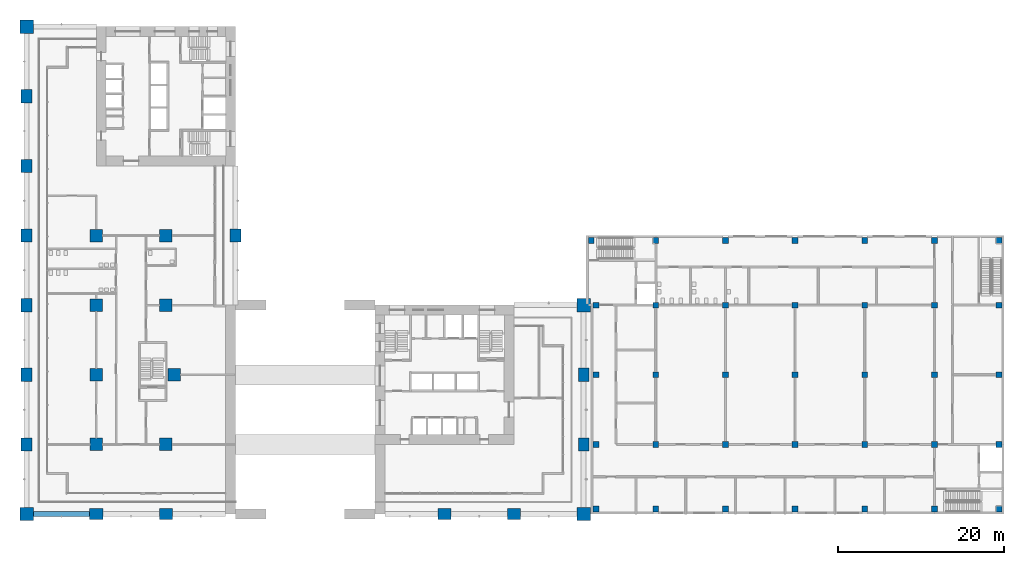
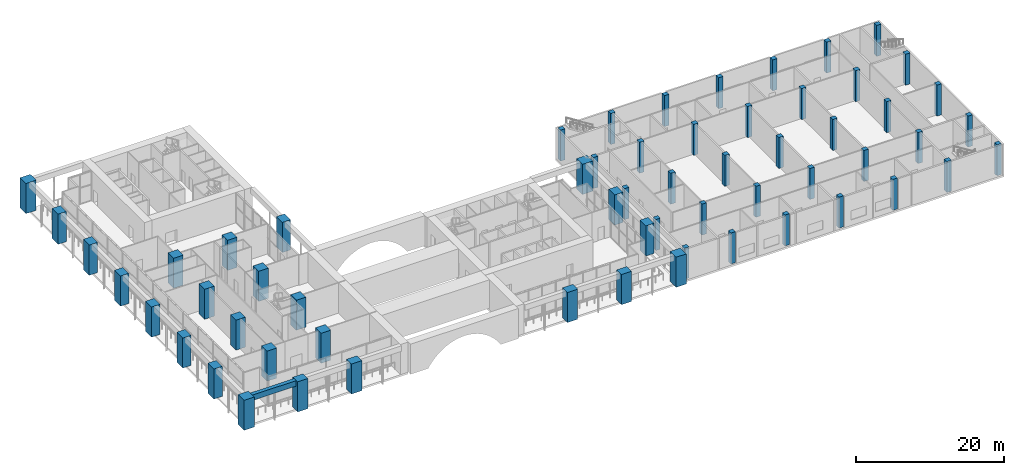
# One storey, part 1 of 26: 60 columns, 1 beam.
"""IFC4 building model written with IfcOpenShell, lengths in metres."""

from ifc_helpers import new_model, si_unit, direction, frame, origin, origin_2d, place, context, subcontext, project, spatial, rectangle, extrude, material, material_profile, profile_set, type_object, element, save


model = new_model("IFC4")

# Units and contexts
model_context = context("Model", 3, precision=1e-05, world=origin(), true_north=direction((0.0, 1.0)))
body_context = subcontext(model_context, "Body", "Model", "MODEL_VIEW")
ifc_project = project(units=[si_unit("LENGTHUNIT", "METRE"), si_unit("AREAUNIT", "SQUARE_METRE"), si_unit("VOLUMEUNIT", "CUBIC_METRE"), si_unit("PLANEANGLEUNIT", "RADIAN"), si_unit("MASSUNIT", "GRAM", prefix="KILO")], contexts=[model_context])

# Site, building, storey
site_placement = place(None, origin())
site = spatial("IfcSite", under=ifc_project, at=site_placement, CompositionType="ELEMENT")
building_placement = place(site_placement, origin())
building = spatial("IfcBuilding", under=site, at=building_placement, Name="Vermilion Gate Residences", CompositionType="ELEMENT")
storey_placement = place(building_placement, frame((0.0, 0.0, 9.0)))
storey = spatial("IfcBuildingStorey", under=building, at=storey_placement, Name="L01", CompositionType="ELEMENT", Elevation=9.0)

# Columns
ifc_material_1 = material(Name="Concrete C80", Category="concrete")
ifc_material_profile_1 = material_profile(ifc_material_1, rectangle(XDim=1.5, YDim=1.5, at=origin_2d()), Name="RC-1500x1500")
ifc_profile_set_1 = profile_set([ifc_material_profile_1], Name="Concrete C80")
column_type_1 = type_object("IfcColumnType", Name="RC COLUMN 1500 X 1500 C80", PredefinedType="COLUMN", material=ifc_profile_set_1)
for number, where, z_axis, x_axis, name in (
    (1, (8.39990234375, 8.39990234375, 0.0), (0.0, 0.0, 1.0), (1.0, 0.0, 0.0), "Column 2-B L01"),
    (2, (8.39990234375, 16.800048828125, 0.0), (0.0, 0.0, 1.0), (1.0, 0.0, 0.0), "Column 2-C L01"),
    (3, (8.39990234375, 25.199951171875, 0.0), (0.0, 0.0, 1.0), (1.0, 0.0, 0.0), "Column 2-D L01"),
    (4, (8.39990234375, 33.60009765625, 0.0), (0.0, 0.0, 1.0), (1.0, 0.0, 0.0), "Column 2-E L01"),
    (5, (16.800048828125, 8.39990234375, 0.0), (0.0, 0.0, 1.0), (1.0, 0.0, 0.0), "Column 3-B L01"),
    (6, (17.800048828125, 16.800048828125, 0.0), (0.0, 0.0, 1.0), (1.0, 0.0, 0.0), "Column 3-C L01"),
    (7, (16.800048828125, 25.199951171875, 0.0), (0.0, 0.0, 1.0), (1.0, 0.0, 0.0), "Column 3-D L01"),
    (8, (16.800048828125, 33.60009765625, 0.0), (0.0, 0.0, 1.0), (1.0, 0.0, 0.0), "Column 3-E L01"),
):
    element("IfcColumn", number, at=place(storey_placement, frame(where, z_axis=z_axis, x_axis=x_axis)), inside=storey, type_object=column_type_1, Name=name, PredefinedType="COLUMN", context=body_context, shape_type="SweptSolid", body=[
        extrude(rectangle(XDim=1.5, YDim=1.5, at=origin_2d()), origin(), (0.0, 0.0, 1.0), 4.949951171875),
    ])
ifc_material_2 = material(Name="Concrete C80", Category="concrete")
ifc_material_profile_2 = material_profile(ifc_material_2, rectangle(XDim=1.60009765625, YDim=1.300048828125, at=origin_2d()), Name="RC-1600x1300")
ifc_profile_set_2 = profile_set([ifc_material_profile_2], Name="Concrete C80")
column_type_2 = type_object("IfcColumnType", Name="RC COLUMN 1600 X 1300 C80", PredefinedType="COLUMN", material=ifc_profile_set_2)
for number, where, z_axis, x_axis, name in (
    (9, (0.0, 8.39990234375, 0.0), (0.0, 0.0, 1.0), (0.0, 1.0, 0.0), "Column 1-B L01"),
    (10, (0.0, 16.800048828125, 0.0), (0.0, 0.0, 1.0), (0.0, 1.0, 0.0), "Column 1-C L01"),
    (11, (0.0, 25.199951171875, 0.0), (0.0, 0.0, 1.0), (0.0, 1.0, 0.0), "Column 1-D L01"),
    (12, (0.0, 33.60009765625, 0.0), (0.0, 0.0, 1.0), (0.0, 1.0, 0.0), "Column 1-E L01"),
    (13, (0.0, 42.0, 0.0), (0.0, 0.0, 1.0), (0.0, 1.0, 0.0), "Column 1-F L01"),
    (14, (0.0, 50.39990234375, 0.0), (0.0, 0.0, 1.0), (0.0, 1.0, 0.0), "Column 1-G L01"),
    (15, (8.39990234375, 0.0, 0.0), (0.0, 0.0, 1.0), (1.0, 0.0, 0.0), "Column 2-A L01"),
    (16, (16.800048828125, 0.0, 0.0), (0.0, 0.0, 1.0), (1.0, 0.0, 0.0), "Column 3-A L01"),
    (17, (25.199951171875, 33.60009765625, 0.0), (0.0, 0.0, 1.0), (0.0, 1.0, 0.0), "Column 4-E L01"),
    (18, (50.39990234375, 0.0, 0.0), (0.0, 0.0, 1.0), (1.0, 0.0, 0.0), "Column 7-A L01"),
    (19, (58.800048828125, 0.0, 0.0), (0.0, 0.0, 1.0), (1.0, 0.0, 0.0), "Column 8-A L01"),
    (20, (67.199951171875, 8.39990234375, 0.0), (0.0, 0.0, 1.0), (0.0, 1.0, 0.0), "Column 9-B L01"),
    (21, (67.199951171875, 16.800048828125, 0.0), (0.0, 0.0, 1.0), (0.0, 1.0, 0.0), "Column 9-C L01"),
):
    element("IfcColumn", number, at=place(storey_placement, frame(where, z_axis=z_axis, x_axis=x_axis)), inside=storey, type_object=column_type_2, Name=name, PredefinedType="COLUMN", context=body_context, shape_type="SweptSolid", body=[
        extrude(rectangle(XDim=1.60009765625, YDim=1.300048828125, at=origin_2d()), origin(), (0.0, 0.0, 1.0), 4.949951171875),
    ])
ifc_material_3 = material(Name="Concrete C80", Category="concrete")
ifc_material_profile_3 = material_profile(ifc_material_3, rectangle(XDim=1.60009765625, YDim=1.60009765625, at=origin_2d()), Name="RC-1600x1600")
ifc_profile_set_3 = profile_set([ifc_material_profile_3], Name="Concrete C80")
column_type_3 = type_object("IfcColumnType", Name="RC COLUMN 1600 X 1600 C80", PredefinedType="COLUMN", material=ifc_profile_set_3)
for number, where, z_axis, x_axis, name in (
    (22, (0.0, 0.0, 0.0), (0.0, 0.0, 1.0), (1.0, 0.0, 0.0), "Column 1-A L01"),
    (23, (0.0, 58.800048828125, 0.0), (0.0, 0.0, 1.0), (1.0, 0.0, 0.0), "Column 1-H L01"),
    (24, (67.199951171875, 0.0, 0.0), (0.0, 0.0, 1.0), (1.0, 0.0, 0.0), "Column 9-A L01"),
    (25, (67.199951171875, 25.199951171875, 0.0), (0.0, 0.0, 1.0), (1.0, 0.0, 0.0), "Column 9-D L01"),
):
    element("IfcColumn", number, at=place(storey_placement, frame(where, z_axis=z_axis, x_axis=x_axis)), inside=storey, type_object=column_type_3, Name=name, PredefinedType="COLUMN", context=body_context, shape_type="SweptSolid", body=[
        extrude(rectangle(XDim=1.60009765625, YDim=1.60009765625, at=origin_2d()), origin(), (0.0, 0.0, 1.0), 4.949951171875),
    ])
ifc_material_4 = material(Name="Concrete C50", Category="concrete")
ifc_material_profile_4 = material_profile(ifc_material_4, rectangle(XDim=0.699951171875, YDim=0.699951171875, at=origin_2d()), Name="RC COLUMN 700 X 700 C50 (MARKET HALL)")
ifc_profile_set_4 = profile_set([ifc_material_profile_4], Name="Concrete C50")
column_type_4 = type_object("IfcColumnType", Name="RC COLUMN 700 X 700 C50 (MARKET HALL)", PredefinedType="COLUMN", material=ifc_profile_set_4)
for number, where, z_axis, x_axis, name in (
    (26, (68.699951171875, 0.60009765625, 0.0), (0.0, 0.0, 1.0), (1.0, 0.0, 0.0), "Column H1-MA L01"),
    (27, (68.699951171875, 8.39990234375, 0.0), (0.0, 0.0, 1.0), (1.0, 0.0, 0.0), "Column H1-MB L01"),
    (28, (68.699951171875, 16.800048828125, 0.0), (0.0, 0.0, 1.0), (1.0, 0.0, 0.0), "Column H1-MC L01"),
    (29, (68.699951171875, 25.199951171875, 0.0), (0.0, 0.0, 1.0), (1.0, 0.0, 0.0), "Column H1-MD L01"),
    (30, (68.10009765625, 33.0, 0.0), (0.0, 0.0, 1.0), (1.0, 0.0, 0.0), "Column H1-ME L01"),
    (31, (75.89990234375, 0.60009765625, 0.0), (0.0, 0.0, 1.0), (1.0, 0.0, 0.0), "Column H2-MA L01"),
    (32, (75.89990234375, 8.39990234375, 0.0), (0.0, 0.0, 1.0), (1.0, 0.0, 0.0), "Column H2-MB L01"),
    (33, (75.89990234375, 16.800048828125, 0.0), (0.0, 0.0, 1.0), (1.0, 0.0, 0.0), "Column H2-MC L01"),
    (34, (75.89990234375, 25.199951171875, 0.0), (0.0, 0.0, 1.0), (1.0, 0.0, 0.0), "Column H2-MD L01"),
    (35, (75.89990234375, 33.0, 0.0), (0.0, 0.0, 1.0), (1.0, 0.0, 0.0), "Column H2-ME L01"),
    (36, (84.300048828125, 0.60009765625, 0.0), (0.0, 0.0, 1.0), (1.0, 0.0, 0.0), "Column H3-MA L01"),
    (37, (84.300048828125, 8.39990234375, 0.0), (0.0, 0.0, 1.0), (1.0, 0.0, 0.0), "Column H3-MB L01"),
    (38, (84.300048828125, 16.800048828125, 0.0), (0.0, 0.0, 1.0), (1.0, 0.0, 0.0), "Column H3-MC L01"),
    (39, (84.300048828125, 25.199951171875, 0.0), (0.0, 0.0, 1.0), (1.0, 0.0, 0.0), "Column H3-MD L01"),
    (40, (84.300048828125, 33.0, 0.0), (0.0, 0.0, 1.0), (1.0, 0.0, 0.0), "Column H3-ME L01"),
    (41, (92.699951171875, 0.60009765625, 0.0), (0.0, 0.0, 1.0), (1.0, 0.0, 0.0), "Column H4-MA L01"),
    (42, (92.699951171875, 8.39990234375, 0.0), (0.0, 0.0, 1.0), (1.0, 0.0, 0.0), "Column H4-MB L01"),
    (43, (92.699951171875, 16.800048828125, 0.0), (0.0, 0.0, 1.0), (1.0, 0.0, 0.0), "Column H4-MC L01"),
    (44, (92.699951171875, 25.199951171875, 0.0), (0.0, 0.0, 1.0), (1.0, 0.0, 0.0), "Column H4-MD L01"),
    (45, (92.699951171875, 33.0, 0.0), (0.0, 0.0, 1.0), (1.0, 0.0, 0.0), "Column H4-ME L01"),
    (46, (101.10009765625, 0.60009765625, 0.0), (0.0, 0.0, 1.0), (1.0, 0.0, 0.0), "Column H5-MA L01"),
    (47, (101.10009765625, 8.39990234375, 0.0), (0.0, 0.0, 1.0), (1.0, 0.0, 0.0), "Column H5-MB L01"),
    (48, (101.10009765625, 16.800048828125, 0.0), (0.0, 0.0, 1.0), (1.0, 0.0, 0.0), "Column H5-MC L01"),
    (49, (101.10009765625, 25.199951171875, 0.0), (0.0, 0.0, 1.0), (1.0, 0.0, 0.0), "Column H5-MD L01"),
    (50, (101.10009765625, 33.0, 0.0), (0.0, 0.0, 1.0), (1.0, 0.0, 0.0), "Column H5-ME L01"),
    (51, (109.5, 0.60009765625, 0.0), (0.0, 0.0, 1.0), (1.0, 0.0, 0.0), "Column H6-MA L01"),
    (52, (109.5, 8.39990234375, 0.0), (0.0, 0.0, 1.0), (1.0, 0.0, 0.0), "Column H6-MB L01"),
    (53, (109.5, 16.800048828125, 0.0), (0.0, 0.0, 1.0), (1.0, 0.0, 0.0), "Column H6-MC L01"),
    (54, (109.5, 25.199951171875, 0.0), (0.0, 0.0, 1.0), (1.0, 0.0, 0.0), "Column H6-MD L01"),
    (55, (109.5, 33.0, 0.0), (0.0, 0.0, 1.0), (1.0, 0.0, 0.0), "Column H6-ME L01"),
    (56, (117.300048828125, 0.60009765625, 0.0), (0.0, 0.0, 1.0), (1.0, 0.0, 0.0), "Column H7-MA L01"),
    (57, (117.300048828125, 8.39990234375, 0.0), (0.0, 0.0, 1.0), (1.0, 0.0, 0.0), "Column H7-MB L01"),
    (58, (117.300048828125, 16.800048828125, 0.0), (0.0, 0.0, 1.0), (1.0, 0.0, 0.0), "Column H7-MC L01"),
    (59, (117.300048828125, 25.199951171875, 0.0), (0.0, 0.0, 1.0), (1.0, 0.0, 0.0), "Column H7-MD L01"),
    (60, (117.300048828125, 33.0, 0.0), (0.0, 0.0, 1.0), (1.0, 0.0, 0.0), "Column H7-ME L01"),
):
    element("IfcColumn", number, at=place(storey_placement, frame(where, z_axis=z_axis, x_axis=x_axis)), inside=storey, type_object=column_type_4, Name=name, PredefinedType="COLUMN", context=body_context, shape_type="SweptSolid", body=[
        extrude(rectangle(XDim=0.699951171875, YDim=0.699951171875, at=origin_2d()), origin(), (0.0, 0.0, 1.0), 5.10009765625),
    ])

# Beam
ifc_material_5 = material(Name="Concrete C60 red-oxide pigmented", Category="concrete")
ifc_material_profile_5 = material_profile(ifc_material_5, rectangle(XDim=0.60009765625, YDim=0.89990234375, at=origin_2d()), Name="RC-600x900")
ifc_profile_set_5 = profile_set([ifc_material_profile_5], Name="Concrete C60 red-oxide pigmented")
beam_type = type_object("IfcBeamType", Name="RC EDGE BEAM 600 X 900 C60", PredefinedType="BEAM", material=ifc_profile_set_5)
beam_placement = place(storey_placement, frame((0.800048828125, 0.0, 4.5), z_axis=(1.0, 0.0, 0.0), x_axis=(0.0, 1.0, 0.0)))
element("IfcBeam", 61, at=beam_placement, inside=storey, type_object=beam_type, Name="Edge beam L01 1", PredefinedType="BEAM", context=body_context, shape_type="SweptSolid", body=[
    extrude(rectangle(XDim=0.60009765625, YDim=0.89990234375, at=origin_2d()), origin(), (0.0, 0.0, 1.0), 6.800048828125),
])

save(model, "model.ifc")
